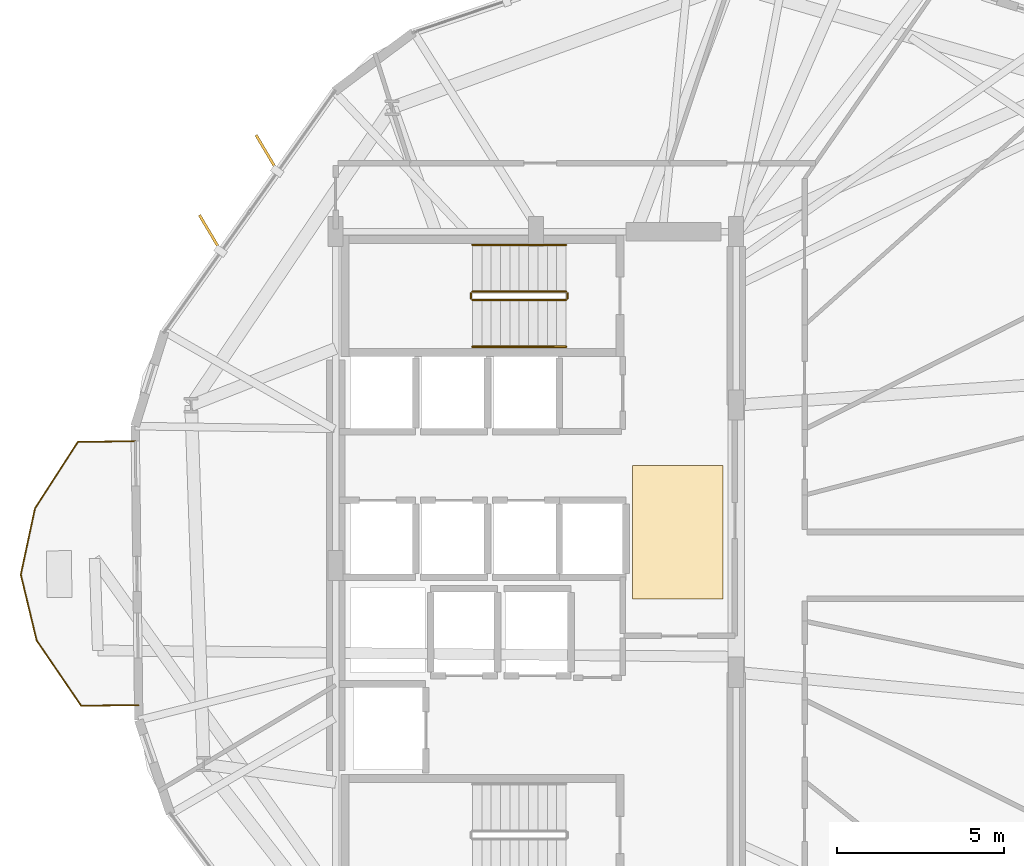
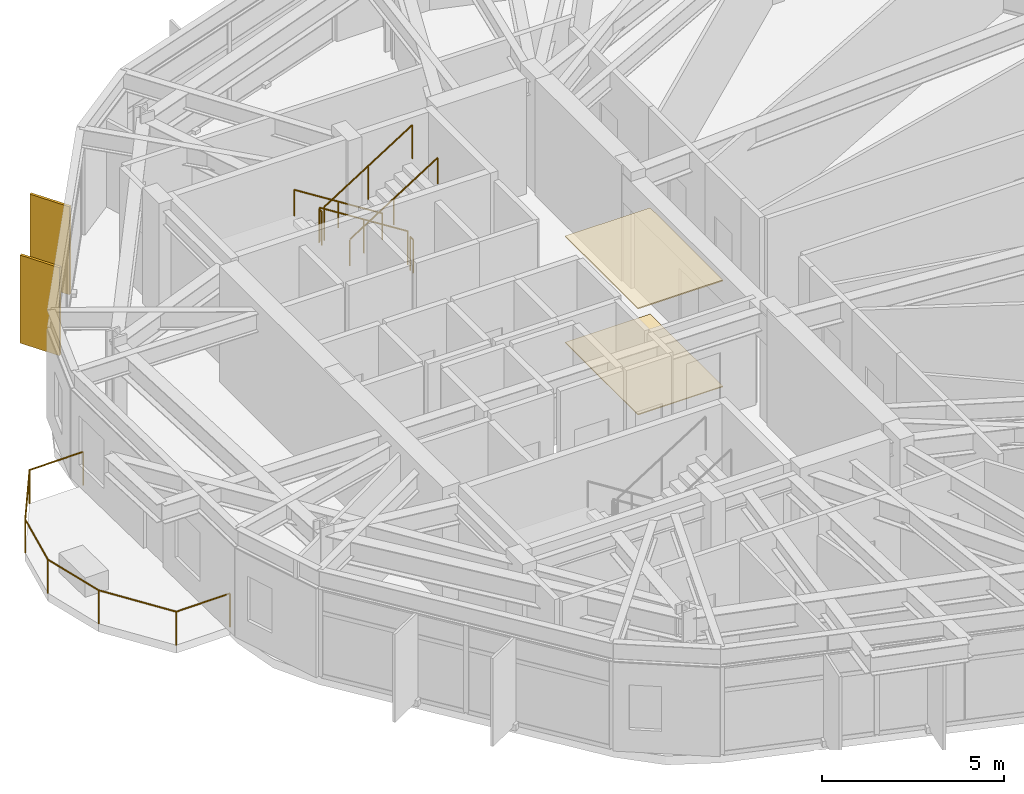
# One storey, part 24 of 25: 7 railings, 2 coverings, 2 shading devices.
"""IFC4 building model written with IfcOpenShell, lengths in metres."""

from ifc_helpers import new_model, si_unit, direction, frame, origin, origin_2d, place, context, subcontext, project, spatial, polyline, rectangle, circle, outline, extrude, material, layer, layer_set, type_object, element, save


model = new_model("IFC4")

# Units and contexts
model_context = context("Model", 3, precision=1e-05, world=origin(), true_north=direction((0.0, 1.0)))
body_context = subcontext(model_context, "Body", "Model", "MODEL_VIEW")
ifc_project = project(units=[si_unit("LENGTHUNIT", "METRE"), si_unit("AREAUNIT", "SQUARE_METRE"), si_unit("VOLUMEUNIT", "CUBIC_METRE"), si_unit("PLANEANGLEUNIT", "RADIAN"), si_unit("MASSUNIT", "GRAM", prefix="KILO")], contexts=[model_context])

# Site, building, storey
site_placement = place(None, origin())
site = spatial("IfcSite", under=ifc_project, at=site_placement, CompositionType="ELEMENT")
building_placement = place(site_placement, origin())
building = spatial("IfcBuilding", under=site, at=building_placement, Name="Soratama Intermodal Tower", CompositionType="ELEMENT")
storey_placement = place(building_placement, frame((0.0, 0.0, 106.89990234375)))
storey = spatial("IfcBuildingStorey", under=building, at=storey_placement, Name="L25", CompositionType="ELEMENT", Elevation=106.89990234375)

# Coverings
ifc_material_1 = material(Name="Perforated mineral acoustic ceiling", Category="concrete")
ifc_layer_1 = layer(ifc_material_1, 0.0400390625)
ifc_layer_set_1 = layer_set([ifc_layer_1], Name="Perforated mineral acoustic ceiling")
covering_type_1 = type_object("IfcCoveringType", Name="CV-CEIL-ACOUSTIC", PredefinedType="CEILING", material=ifc_layer_set_1)
covering_1_placement = place(storey_placement, frame((0.0, 0.0, 3.56005859375)))
element("IfcCovering", 1, at=covering_1_placement, inside=storey, type_object=covering_type_1, Name="L25 Acoustic Ceiling", PredefinedType="CEILING", context=body_context, shape_type="SweptSolid", body=[
    extrude(outline(polyline([(41.5, 24.0), (44.199951171875, 24.0), (44.199951171875, 28.0), (41.5, 28.0), (41.5, 24.0)])), origin(), (0.0, 0.0, 1.0), 0.0400390625),
])
ifc_material_2 = material(Name="Polished Andean stone terrazzo flooring", Category="masonry")
ifc_layer_2 = layer(ifc_material_2, 0.030029296875)
ifc_layer_set_2 = layer_set([ifc_layer_2], Name="Polished Andean stone terrazzo flooring")
covering_type_2 = type_object("IfcCoveringType", Name="CV-FLOR-TERRAZZO", PredefinedType="FLOORING", material=ifc_layer_set_2)
covering_2_placement = place(storey_placement, origin())
element("IfcCovering", 2, at=covering_2_placement, inside=storey, type_object=covering_type_2, Name="L25 Lobby Terrazzo Flooring", PredefinedType="FLOORING", context=body_context, shape_type="SweptSolid", body=[
    extrude(outline(polyline([(41.5, 24.0), (44.199951171875, 24.0), (44.199951171875, 28.0), (41.5, 28.0), (41.5, 24.0)])), origin(), (0.0, 0.0, 1.0), 0.030029296875),
])

# Railings
ifc_material_3 = material(Name="Laminated glass and stainless steel balustrade", Category="steel")
railing_type_1 = type_object("IfcRailingType", Name="RL-BAL-1150", PredefinedType="BALUSTRADE", material=ifc_material_3)
railing_1_placement = place(storey_placement, frame((26.69921875, 20.81640625, 0.0)))
element("IfcRailing", 3, at=railing_1_placement, inside=storey, type_object=railing_type_1, Name="L25 Balcony Balustrade 3", PredefinedType="BALUSTRADE", context=body_context, shape_type="SweptSolid", body=[
    extrude(circle(Radius=0.02392578125, at=origin_2d()), frame((0.0, 0.0, 1.1259765625), z_axis=(-0.999921972836, -0.012491926975, 0.0), x_axis=(0.012491926975, -0.999921972836, 0.0)), (0.0, 0.0, 1.0), 1.719970703125),
    extrude(circle(Radius=0.02392578125, at=origin_2d()), frame((-1.7197265625, -0.021484375, 1.1259765625), z_axis=(-0.563151558435, 0.826353630253, 0.0), x_axis=(-0.826353630253, -0.563151558435, 0.0)), (0.0, 0.0, 1.0), 2.371826171875),
    extrude(circle(Radius=0.02392578125, at=origin_2d()), frame((-3.055419921875, 1.9384765625, 1.1259765625), z_axis=(-0.233796606619, 0.97228552737, 0.0), x_axis=(-0.97228552737, -0.233796606619, 0.0)), (0.0, 0.0, 1.0), 2.02685546875),
    extrude(circle(Radius=0.02392578125, at=origin_2d()), frame((-3.529296875, 3.9091796875, 1.1259765625), z_axis=(0.209208289648, 0.977871101701, 0.0), x_axis=(-0.977871101701, 0.209208289648, 0.0)), (0.0, 0.0, 1.0), 2.027099609375),
    extrude(circle(Radius=0.02392578125, at=origin_2d()), frame((-3.105224609375, 5.891357421875, 1.1259765625), z_axis=(0.542166727812, 0.840270932054, 0.0), x_axis=(-0.840270932054, 0.542166727812, 0.0)), (0.0, 0.0, 1.0), 2.371826171875),
    extrude(circle(Radius=0.02392578125, at=origin_2d()), frame((-1.8193359375, 7.88427734375, 1.1259765625), z_axis=(0.999920212282, 0.012632065137, 0.0), x_axis=(-0.012632065137, 0.999920212282, 0.0)), (0.0, 0.0, 1.0), 1.72021484375),
    extrude(circle(Radius=0.02099609375, at=origin_2d()), origin(), (0.0, 0.0, 1.0), 1.101806640625),
    extrude(circle(Radius=0.02099609375, at=origin_2d()), frame((-1.7197265625, -0.021484375, 0.0)), (0.0, 0.0, 1.0), 1.101806640625),
    extrude(circle(Radius=0.02099609375, at=origin_2d()), frame((-3.055419921875, 1.9384765625, 0.0)), (0.0, 0.0, 1.0), 1.101806640625),
    extrude(circle(Radius=0.02099609375, at=origin_2d()), frame((-3.529296875, 3.9091796875, 0.0)), (0.0, 0.0, 1.0), 1.101806640625),
    extrude(circle(Radius=0.02099609375, at=origin_2d()), frame((-3.105224609375, 5.891357421875, 0.0)), (0.0, 0.0, 1.0), 1.101806640625),
    extrude(circle(Radius=0.02099609375, at=origin_2d()), frame((-1.8193359375, 7.88427734375, 0.0)), (0.0, 0.0, 1.0), 1.101806640625),
    extrude(circle(Radius=0.02099609375, at=origin_2d()), frame((-0.099365234375, 7.906005859375, 0.0)), (0.0, 0.0, 1.0), 1.101806640625),
])
ifc_material_4 = material(Name="Painted steel stair guardrail", Category="steel")
railing_type_2 = type_object("IfcRailingType", Name="RL-STAIR-GUARD", PredefinedType="GUARDRAIL", material=ifc_material_4)
railing_2_placement = place(storey_placement, frame((39.5, 33.199951171875, 0.177490234375)))
element("IfcRailing", 4, at=railing_2_placement, inside=storey, type_object=railing_type_2, Name="L25 ST-2 stair guard 1", PredefinedType="GUARDRAIL", context=body_context, shape_type="SweptSolid", body=[
    extrude(circle(Radius=0.02392578125, at=origin_2d()), frame((0.0, 0.0, 1.1259765625), z_axis=(-0.844908973607, 0.0, 0.534910110503), x_axis=(0.0, -1.0, 0.0)), (0.0, 0.0, 1.0), 3.31396484375),
    extrude(circle(Radius=0.02099609375, at=origin_2d()), origin(), (0.0, 0.0, 1.0), 1.101806640625),
    extrude(circle(Radius=0.02099609375, at=origin_2d()), frame((-1.39990234375, 0.0, 0.88623046875)), (0.0, 0.0, 1.0), 1.101806640625),
    extrude(circle(Radius=0.02099609375, at=origin_2d()), frame((-2.800048828125, 0.0, 1.772705078125)), (0.0, 0.0, 1.0), 1.101806640625),
])
railing_3_placement = place(storey_placement, frame((36.64990234375, 33.14990234375, 1.9501953125)))
element("IfcRailing", 5, at=railing_3_placement, inside=storey, type_object=railing_type_2, Name="L25 ST-2 stair guard 2", PredefinedType="GUARDRAIL", context=body_context, shape_type="SweptSolid", body=[
    extrude(circle(Radius=0.02392578125, at=origin_2d()), frame((0.0, 0.0, 1.1259765625), z_axis=(0.0, -1.0, 0.0), x_axis=(1.0, 0.0, 0.0)), (0.0, 0.0, 1.0), 0.14990234375),
    extrude(circle(Radius=0.02099609375, at=origin_2d()), origin(), (0.0, 0.0, 1.0), 1.101806640625),
    extrude(circle(Radius=0.02099609375, at=origin_2d()), frame((0.0, -0.14990234375, 0.0)), (0.0, 0.0, 1.0), 1.101806640625),
])
railing_4_placement = place(storey_placement, frame((36.699951171875, 32.949951171875, 2.12744140625)))
element("IfcRailing", 6, at=railing_4_placement, inside=storey, type_object=railing_type_2, Name="L25 ST-2 stair guard 3", PredefinedType="GUARDRAIL", context=body_context, shape_type="SweptSolid", body=[
    extrude(circle(Radius=0.02392578125, at=origin_2d()), frame((0.0, 0.0, 1.1259765625), z_axis=(0.844908973607, 0.0, 0.534910110503), x_axis=(0.0, 1.0, 0.0)), (0.0, 0.0, 1.0), 3.31396484375),
    extrude(circle(Radius=0.02099609375, at=origin_2d()), origin(), (0.0, 0.0, 1.0), 1.101806640625),
    extrude(circle(Radius=0.02099609375, at=origin_2d()), frame((1.39990234375, 0.0, 0.88623046875)), (0.0, 0.0, 1.0), 1.101806640625),
    extrude(circle(Radius=0.02099609375, at=origin_2d()), frame((2.800048828125, 0.0, 1.772705078125)), (0.0, 0.0, 1.0), 1.101806640625),
])
railing_5_placement = place(storey_placement, frame((39.550048828125, 33.14990234375, 0.0)))
element("IfcRailing", 7, at=railing_5_placement, inside=storey, type_object=railing_type_2, Name="L25 ST-2 stair guard 4", PredefinedType="GUARDRAIL", context=body_context, shape_type="SweptSolid", body=[
    extrude(circle(Radius=0.02392578125, at=origin_2d()), frame((0.0, 0.0, 1.1259765625), z_axis=(0.0, -1.0, 0.0), x_axis=(1.0, 0.0, 0.0)), (0.0, 0.0, 1.0), 0.14990234375),
    extrude(circle(Radius=0.02099609375, at=origin_2d()), origin(), (0.0, 0.0, 1.0), 1.101806640625),
    extrude(circle(Radius=0.02099609375, at=origin_2d()), frame((0.0, -0.14990234375, 0.0)), (0.0, 0.0, 1.0), 1.101806640625),
])
ifc_material_5 = material(Name="Brushed stainless steel handrail", Category="steel")
railing_type_3 = type_object("IfcRailingType", Name="RL-STAIR-HAND", PredefinedType="HANDRAIL", material=ifc_material_5)
railing_6_placement = place(storey_placement, frame((39.5, 34.60009765625, 0.177490234375)))
element("IfcRailing", 8, at=railing_6_placement, inside=storey, type_object=railing_type_3, Name="L25 ST-2 stair handrail 1", PredefinedType="HANDRAIL", context=body_context, shape_type="SweptSolid", body=[
    extrude(circle(Radius=0.02392578125, at=origin_2d()), frame((0.0, 0.0, 0.8759765625), z_axis=(-0.844908973607, 0.0, 0.534910110503), x_axis=(0.0, -1.0, 0.0)), (0.0, 0.0, 1.0), 3.31396484375),
    extrude(circle(Radius=0.02099609375, at=origin_2d()), origin(), (0.0, 0.0, 1.0), 0.851806640625),
    extrude(circle(Radius=0.02099609375, at=origin_2d()), frame((-1.39990234375, 0.0, 0.88623046875)), (0.0, 0.0, 1.0), 0.851806640625),
    extrude(circle(Radius=0.02099609375, at=origin_2d()), frame((-2.800048828125, 0.0, 1.772705078125)), (0.0, 0.0, 1.0), 0.851806640625),
])
railing_7_placement = place(storey_placement, frame((36.699951171875, 31.550048828125, 2.12744140625)))
element("IfcRailing", 9, at=railing_7_placement, inside=storey, type_object=railing_type_3, Name="L25 ST-2 stair handrail 2", PredefinedType="HANDRAIL", context=body_context, shape_type="SweptSolid", body=[
    extrude(circle(Radius=0.02392578125, at=origin_2d()), frame((0.0, 0.0, 0.8759765625), z_axis=(0.844908973607, 0.0, 0.534910110503), x_axis=(0.0, 1.0, 0.0)), (0.0, 0.0, 1.0), 3.31396484375),
    extrude(circle(Radius=0.02099609375, at=origin_2d()), origin(), (0.0, 0.0, 1.0), 0.851806640625),
    extrude(circle(Radius=0.02099609375, at=origin_2d()), frame((1.39990234375, 0.0, 0.88623046875)), (0.0, 0.0, 1.0), 0.851806640625),
    extrude(circle(Radius=0.02099609375, at=origin_2d()), frame((2.800048828125, 0.0, 1.772705078125)), (0.0, 0.0, 1.0), 0.851806640625),
])

# Shading devices
ifc_material_6 = material(Name="Champagne anodised aluminium solar fin", Category="aluminium")
ifc_layer_3 = layer(ifc_material_6, 0.080078125)
ifc_layer_set_3 = layer_set([ifc_layer_3], Name="Champagne anodised aluminium solar fin")
shading_device_type = type_object("IfcShadingDeviceType", Name="SH-FIN-1250", PredefinedType="USERDEFINED", material=ifc_layer_set_3)
for number, where, z_axis, x_axis, name in (
    (10, (30.536865234375, 37.352294921875, 0.02001953125), (0.0, 0.0, 1.0), (-0.510843031866, 0.859674006117, 0.0), "L25 Solar Fin F04-1"),
    (11, (28.84130859375, 34.955810546875, 0.02001953125), (0.0, 0.0, 1.0), (-0.510843031866, 0.859674006117, 0.0), "L25 Solar Fin F04-2"),
):
    element("IfcShadingDevice", number, at=place(storey_placement, frame(where, z_axis=z_axis, x_axis=x_axis)), inside=storey, type_object=shading_device_type, Name=name, ObjectType="FIN", PredefinedType="USERDEFINED", context=body_context, shape_type="SweptSolid", body=[
        extrude(rectangle(XDim=1.25, YDim=0.080078125, at=origin_2d()), origin(), (0.0, 0.0, 1.0), 2.958984375),
    ])

save(model, "model.ifc")
